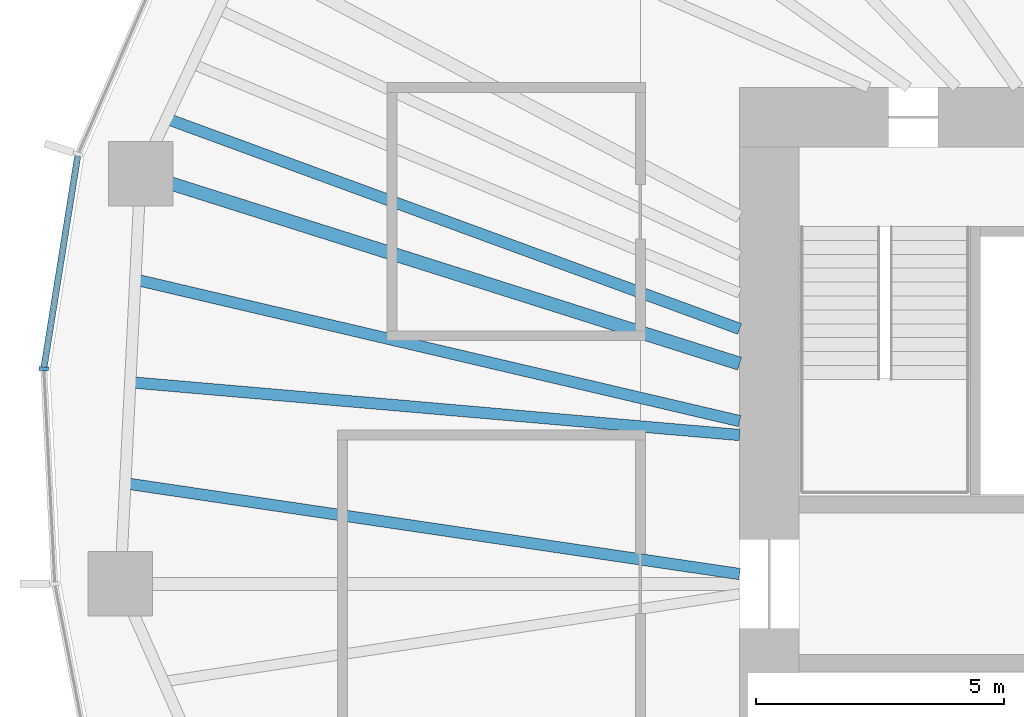
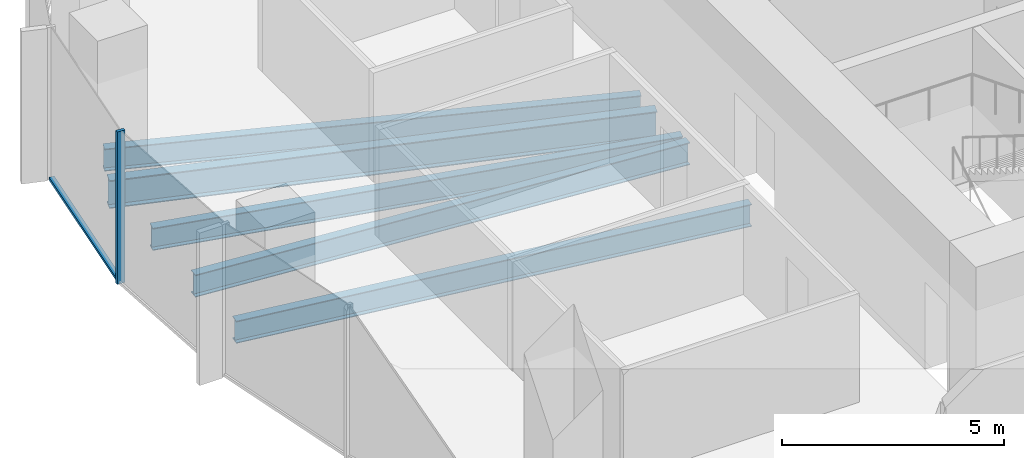
# One storey, part 3 of 11: 5 beams, 2 members, 1 element without a shape of its own.
"""IFC4 building model written with IfcOpenShell, lengths in metres."""

from ifc_helpers import new_model, si_unit, direction, frame, origin, origin_2d, place, context, subcontext, project, spatial, rectangle, i_section, extrude, material, material_profile, profile_set, type_object, element, aggregate, save


model = new_model("IFC4")

# Units and contexts
model_context = context("Model", 3, precision=1e-05, world=origin(), true_north=direction((0.0, 1.0)))
body_context = subcontext(model_context, "Body", "Model", "MODEL_VIEW")
ifc_project = project(units=[si_unit("LENGTHUNIT", "METRE"), si_unit("AREAUNIT", "SQUARE_METRE"), si_unit("VOLUMEUNIT", "CUBIC_METRE"), si_unit("PLANEANGLEUNIT", "RADIAN"), si_unit("MASSUNIT", "GRAM", prefix="KILO")], contexts=[model_context])

# Site, building, storey
site_placement = place(None, origin())
site = spatial("IfcSite", under=ifc_project, at=site_placement, CompositionType="ELEMENT")
building_placement = place(site_placement, origin())
building = spatial("IfcBuilding", under=site, at=building_placement, Name="Ghaith Harvest Tower", CompositionType="ELEMENT")
storey_placement = place(building_placement, frame((0.0, 0.0, 220.0)))
storey = spatial("IfcBuildingStorey", under=building, at=storey_placement, Name="L48", CompositionType="ELEMENT", Elevation=220.0)

# Curtain wall, members
ifc_material_1 = material(Name="Black anodised aluminium and fritted glass", Category="aluminium")
curtain_wall_type = type_object("IfcCurtainWallType", Name="CW-H CURTAIN WALL", PredefinedType="NOTDEFINED", material=ifc_material_1)
curtain_wall_placement = place(storey_placement, origin())
curtain_wall = element("IfcCurtainWall", 1, at=curtain_wall_placement, inside=storey, type_object=curtain_wall_type, Name="Curtain wall CW-H bay 10 L48", PredefinedType="NOTDEFINED")
ifc_material_2 = material(Name="Aluminium, black anodised", Category="aluminium")
ifc_material_profile_1 = material_profile(ifc_material_2, rectangle(XDim=0.080078125, YDim=0.199951171875, at=origin_2d()), Name="CW-H MULLION 80x200")
ifc_profile_set_1 = profile_set([ifc_material_profile_1], Name="Aluminium, black anodised")
member_type_1 = type_object("IfcMemberType", Name="CW-H MULLION 80x200", PredefinedType="MULLION", material=ifc_profile_set_1)
member_1_placement = place(storey_placement, frame((-28.015869140625, 4.333251953125, 0.0), z_axis=(0.0, 0.0, 1.0), x_axis=(-0.054116047044, -0.998534653105, 0.0)))
member_1 = element("IfcMember", 2, at=member_1_placement, type_object=member_type_1, Name="CW-H mullion 2 bay 10 L48", PredefinedType="MULLION", context=body_context, shape_type="SweptSolid", body=[
    extrude(rectangle(XDim=0.080078125, YDim=0.199951171875, at=origin_2d()), origin(), (0.0, 0.0, 1.0), 4.199951171875),
])
ifc_material_3 = material(Name="Aluminium, black anodised", Category="aluminium")
ifc_material_profile_2 = material_profile(ifc_material_3, rectangle(XDim=0.1298828125, YDim=0.080078125, at=origin_2d()), Name="CW-H TRANSOM 130x80")
ifc_profile_set_2 = profile_set([ifc_material_profile_2], Name="Aluminium, black anodised")
member_type_2 = type_object("IfcMemberType", Name="CW-H TRANSOM 130x80", PredefinedType="USERDEFINED", material=ifc_profile_set_2)
member_2_placement = place(storey_placement, frame((-27.33203125, 8.62060546875, 0.0400390625), z_axis=(-0.157492444441, -0.98752019217, 0.0), x_axis=(0.98752019217, -0.157492444441, 0.0)))
member_2 = element("IfcMember", 3, at=member_2_placement, type_object=member_type_2, Name="CW-H transom 1 bay 10 L48", ObjectType="TRANSOM", PredefinedType="USERDEFINED", context=body_context, shape_type="SweptSolid", body=[
    extrude(rectangle(XDim=0.1298828125, YDim=0.080078125, at=origin_2d()), origin(), (0.0, 0.0, 1.0), 4.3017578125),
])
aggregate(curtain_wall, [member_2, member_1])

# Beams
ifc_material_4 = material(Name="Steel ASTM A992 Grade 50", Category="steel")
ifc_material_profile_3 = material_profile(ifc_material_4, i_section(OverallWidth=0.26806640625, OverallDepth=0.77001953125, WebThickness=0.015625, FlangeThickness=0.025390625, at=origin_2d()), Name="W760X196")
ifc_profile_set_3 = profile_set([ifc_material_profile_3], Name="Steel ASTM A992 Grade 50")
beam_type_1 = type_object("IfcBeamType", Name="G760-196 W760X196", PredefinedType="BEAM", material=ifc_profile_set_3)
beam_1_placement = place(storey_placement, frame((-14.0, 4.43701171875, -0.554931640625), z_axis=(-0.953278738841, 0.302092115212, 0.0), x_axis=(-0.302092115212, -0.953278738841, 0.0)))
element("IfcBeam", 4, at=beam_1_placement, inside=storey, type_object=beam_type_1, Name="Radial girder G10 L48", PredefinedType="BEAM", context=body_context, shape_type="SweptSolid", body=[
    extrude(i_section(OverallWidth=0.26806640625, OverallDepth=0.77001953125, WebThickness=0.015625, FlangeThickness=0.025390625, at=origin_2d()), origin(), (0.0, 0.0, 1.0), 12.658203125),
])
ifc_material_5 = material(Name="Steel ASTM A992 Grade 50", Category="steel")
ifc_material_profile_4 = material_profile(ifc_material_5, i_section(OverallWidth=0.22900390625, OverallDepth=0.612060546875, WebThickness=0.011962890625, FlangeThickness=0.01953125, at=origin_2d()), Name="W610X125")
ifc_profile_set_4 = profile_set([ifc_material_profile_4], Name="Steel ASTM A992 Grade 50")
beam_type_2 = type_object("IfcBeamType", Name="J610-125 W610X125", PredefinedType="JOIST", material=ifc_profile_set_4)
beam_2_placement = place(storey_placement, frame((-14.0, 5.137939453125, -0.47607421875), z_axis=(-0.938775301049, 0.344530019216, 0.0), x_axis=(-0.344530019216, -0.938775301049, 0.0)))
element("IfcBeam", 5, at=beam_2_placement, inside=storey, type_object=beam_type_2, Name="Joist J09.3 L48", PredefinedType="JOIST", context=body_context, shape_type="SweptSolid", body=[
    extrude(i_section(OverallWidth=0.22900390625, OverallDepth=0.612060546875, WebThickness=0.011962890625, FlangeThickness=0.01953125, at=origin_2d()), origin(), (0.0, 0.0, 1.0), 12.295166015625),
])
beam_3_placement = place(storey_placement, frame((-14.0, 3.280517578125, -0.47607421875), z_axis=(-0.973621665777, 0.228168472691, 0.0), x_axis=(-0.228168472691, -0.973621665777, 0.0)))
element("IfcBeam", 6, at=beam_3_placement, inside=storey, type_object=beam_type_2, Name="Joist J10.1 L48", PredefinedType="JOIST", context=body_context, shape_type="SweptSolid", body=[
    extrude(i_section(OverallWidth=0.22900390625, OverallDepth=0.612060546875, WebThickness=0.011962890625, FlangeThickness=0.01953125, at=origin_2d()), origin(), (0.0, 0.0, 1.0), 12.501953125),
])
beam_4_placement = place(storey_placement, frame((-14.0, 3.0, -0.47607421875), z_axis=(-0.996265900996, 0.086338024716, 0.0), x_axis=(-0.086338024716, -0.996265900996, 0.0)))
element("IfcBeam", 7, at=beam_4_placement, inside=storey, type_object=beam_type_2, Name="Joist J10.2 L48", PredefinedType="JOIST", context=body_context, shape_type="SweptSolid", body=[
    extrude(i_section(OverallWidth=0.22900390625, OverallDepth=0.612060546875, WebThickness=0.011962890625, FlangeThickness=0.01953125, at=origin_2d()), origin(), (0.0, 0.0, 1.0), 12.3203125),
])
beam_5_placement = place(storey_placement, frame((-14.0, 0.199951171875, -0.47607421875), z_axis=(-0.989269378665, 0.146103033631, 0.0), x_axis=(-0.146103033631, -0.989269378665, 0.0)))
element("IfcBeam", 8, at=beam_5_placement, inside=storey, type_object=beam_type_2, Name="Joist J10.3 L48", PredefinedType="JOIST", context=body_context, shape_type="SweptSolid", body=[
    extrude(i_section(OverallWidth=0.22900390625, OverallDepth=0.612060546875, WebThickness=0.011962890625, FlangeThickness=0.01953125, at=origin_2d()), origin(), (0.0, 0.0, 1.0), 12.50927734375),
])

save(model, "model.ifc")
